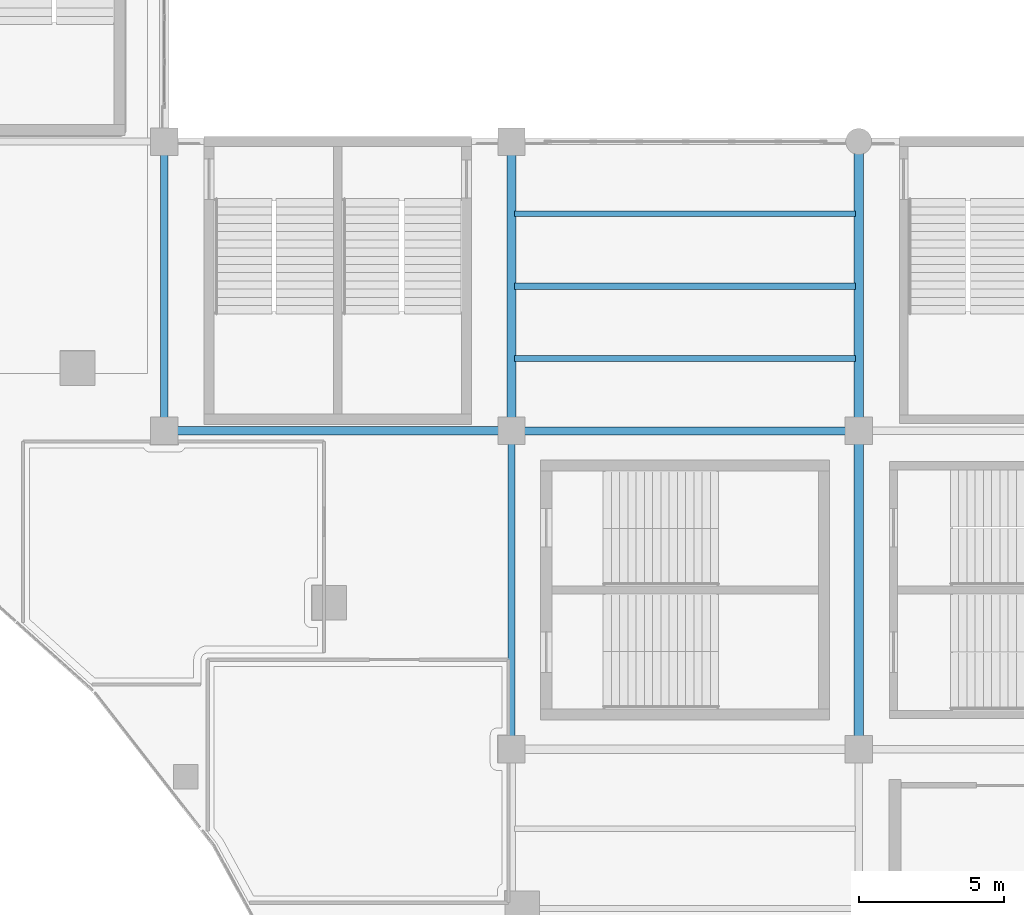
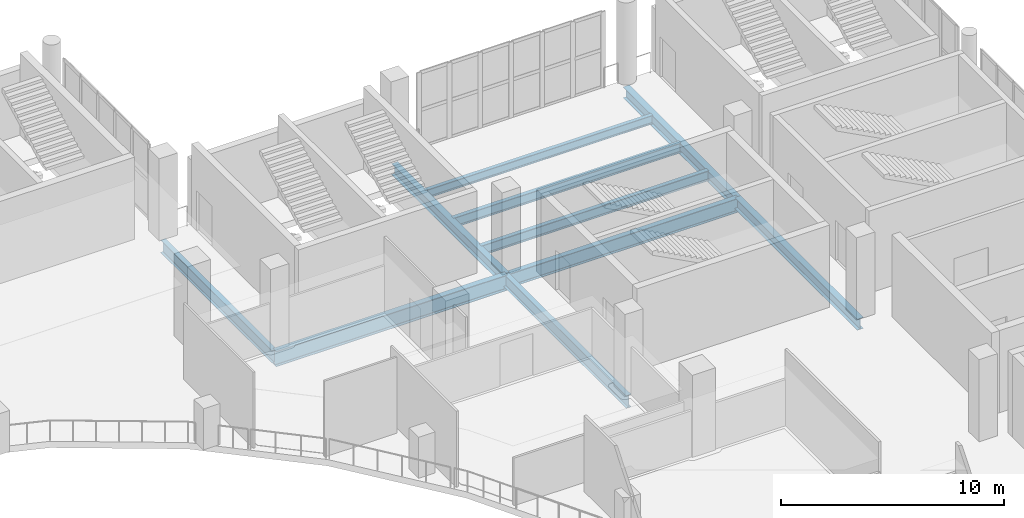
# One storey, part 45 of 90: 10 beams.
"""IFC4 building model written with IfcOpenShell, lengths in metres."""

from ifc_helpers import new_model, si_unit, direction, frame, origin, origin_2d, place, context, subcontext, project, spatial, i_section, extrude, material, material_profile, profile_set, type_object, element, save


model = new_model("IFC4")

# Units and contexts
model_context = context("Model", 3, precision=1e-05, world=origin(), true_north=direction((0.0, 1.0)))
body_context = subcontext(model_context, "Body", "Model", "MODEL_VIEW")
ifc_project = project(units=[si_unit("LENGTHUNIT", "METRE"), si_unit("AREAUNIT", "SQUARE_METRE"), si_unit("VOLUMEUNIT", "CUBIC_METRE"), si_unit("PLANEANGLEUNIT", "RADIAN"), si_unit("MASSUNIT", "GRAM", prefix="KILO")], contexts=[model_context])

# Site, building, storey
site_placement = place(None, origin())
site = spatial("IfcSite", under=ifc_project, at=site_placement, CompositionType="ELEMENT")
building_placement = place(site_placement, origin())
building = spatial("IfcBuilding", under=site, at=building_placement, Name="Brinegate Civic Arena", CompositionType="ELEMENT")
storey_placement = place(building_placement, frame((0.0, 0.0, 14.699951171875)))
storey = spatial("IfcBuildingStorey", under=building, at=storey_placement, Name="L03", CompositionType="ELEMENT", Elevation=14.699951171875)

# Beams
ifc_material = material(Name="Steel S355", Category="steel")
ifc_material_profile_1 = material_profile(ifc_material, i_section(OverallWidth=0.323974609375, OverallDepth=0.611083984375, WebThickness=0.012939453125, FlangeThickness=0.01904296875, FilletRadius=0.01611328125, at=origin_2d()), Name="W610X155")
ifc_profile_set_1 = profile_set([ifc_material_profile_1], Name="Steel S355")
beam_type_1 = type_object("IfcBeamType", Name="GIRDER-W610X155", PredefinedType="BEAM", material=ifc_profile_set_1)
beam_1_placement = place(storey_placement, frame((144.0, 104.0, -0.655029296875), z_axis=(0.0, 1.0, 0.0), x_axis=(-1.0, 0.0, 0.0)))
element("IfcBeam", 1, at=beam_1_placement, inside=storey, type_object=beam_type_1, Name="Floor Girder BM-L03-GY-12-10", PredefinedType="BEAM", context=body_context, shape_type="SweptSolid", body=[
    extrude(i_section(OverallWidth=0.323974609375, OverallDepth=0.611083984375, WebThickness=0.012939453125, FlangeThickness=0.01904296875, FilletRadius=0.01611328125, at=origin_2d()), origin(), (0.0, 0.0, 1.0), 10.0),
])
beam_2_placement = place(storey_placement, frame((156.0, 93.0, -0.655029296875), z_axis=(0.0, 1.0, 0.0), x_axis=(-1.0, 0.0, 0.0)))
element("IfcBeam", 2, at=beam_2_placement, inside=storey, type_object=beam_type_1, Name="Floor Girder BM-L03-GY-13-09", PredefinedType="BEAM", context=body_context, shape_type="SweptSolid", body=[
    extrude(i_section(OverallWidth=0.323974609375, OverallDepth=0.611083984375, WebThickness=0.012939453125, FlangeThickness=0.01904296875, FilletRadius=0.01611328125, at=origin_2d()), origin(), (0.0, 0.0, 1.0), 11.0),
])
ifc_material_profile_2 = material_profile(ifc_material, i_section(OverallWidth=0.324951171875, OverallDepth=0.615966796875, WebThickness=0.013916015625, FlangeThickness=0.02197265625, FilletRadius=0.01611328125, at=origin_2d()), Name="W610X174")
ifc_profile_set_2 = profile_set([ifc_material_profile_2], Name="Steel S355")
beam_type_2 = type_object("IfcBeamType", Name="GIRDER-W610X174", PredefinedType="BEAM", material=ifc_profile_set_2)
beam_3_placement = place(storey_placement, frame((156.0, 104.0, -0.657958984375), z_axis=(0.0, 1.0, 0.0), x_axis=(-1.0, 0.0, 0.0)))
element("IfcBeam", 3, at=beam_3_placement, inside=storey, type_object=beam_type_2, Name="Floor Girder BM-L03-GY-13-10", PredefinedType="BEAM", context=body_context, shape_type="SweptSolid", body=[
    extrude(i_section(OverallWidth=0.324951171875, OverallDepth=0.615966796875, WebThickness=0.013916015625, FlangeThickness=0.02197265625, FilletRadius=0.01611328125, at=origin_2d()), origin(), (0.0, 0.0, 1.0), 10.0),
])
ifc_material_profile_3 = material_profile(ifc_material, i_section(OverallWidth=0.256103515625, OverallDepth=0.693115234375, WebThickness=0.014892578125, FlangeThickness=0.02392578125, FilletRadius=0.01806640625, at=origin_2d()), Name="W690X170")
ifc_profile_set_3 = profile_set([ifc_material_profile_3], Name="Steel S355")
beam_type_3 = type_object("IfcBeamType", Name="GIRDER-W690X170", PredefinedType="BEAM", material=ifc_profile_set_3)
beam_4_placement = place(storey_placement, frame((132.0, 104.0, -0.696044921875), z_axis=(0.0, 1.0, 0.0), x_axis=(-1.0, 0.0, 0.0)))
element("IfcBeam", 4, at=beam_4_placement, inside=storey, type_object=beam_type_3, Name="Floor Girder BM-L03-GY-11-10", PredefinedType="BEAM", context=body_context, shape_type="SweptSolid", body=[
    extrude(i_section(OverallWidth=0.256103515625, OverallDepth=0.693115234375, WebThickness=0.014892578125, FlangeThickness=0.02392578125, FilletRadius=0.01806640625, at=origin_2d()), origin(), (0.0, 0.0, 1.0), 10.0),
])
beam_5_placement = place(storey_placement, frame((144.0, 93.0, -0.696044921875), z_axis=(0.0, 1.0, 0.0), x_axis=(-1.0, 0.0, 0.0)))
element("IfcBeam", 5, at=beam_5_placement, inside=storey, type_object=beam_type_3, Name="Floor Girder BM-L03-GY-12-09", PredefinedType="BEAM", context=body_context, shape_type="SweptSolid", body=[
    extrude(i_section(OverallWidth=0.256103515625, OverallDepth=0.693115234375, WebThickness=0.014892578125, FlangeThickness=0.02392578125, FilletRadius=0.01806640625, at=origin_2d()), origin(), (0.0, 0.0, 1.0), 11.0),
])
ifc_material_profile_4 = material_profile(ifc_material, i_section(OverallWidth=0.26806640625, OverallDepth=0.77001953125, WebThickness=0.01611328125, FlangeThickness=0.02490234375, FilletRadius=0.02001953125, at=origin_2d()), Name="W760X196")
ifc_profile_set_4 = profile_set([ifc_material_profile_4], Name="Steel S355")
beam_type_4 = type_object("IfcBeamType", Name="GIRDER-W760X196", PredefinedType="BEAM", material=ifc_profile_set_4)
beam_6_placement = place(storey_placement, frame((144.0, 104.0, -0.73486328125), z_axis=(1.0, 0.0, 0.0), x_axis=(0.0, 1.0, 0.0)))
element("IfcBeam", 6, at=beam_6_placement, inside=storey, type_object=beam_type_4, Name="Floor Girder BM-L03-GX-12-10", PredefinedType="BEAM", context=body_context, shape_type="SweptSolid", body=[
    extrude(i_section(OverallWidth=0.26806640625, OverallDepth=0.77001953125, WebThickness=0.01611328125, FlangeThickness=0.02490234375, FilletRadius=0.02001953125, at=origin_2d()), origin(), (0.0, 0.0, 1.0), 12.0),
])
ifc_material_profile_5 = material_profile(ifc_material, i_section(OverallWidth=0.2939453125, OverallDepth=0.85107421875, WebThickness=0.01611328125, FlangeThickness=0.027099609375, FilletRadius=0.02197265625, at=origin_2d()), Name="W840X226")
ifc_profile_set_5 = profile_set([ifc_material_profile_5], Name="Steel S355")
beam_type_5 = type_object("IfcBeamType", Name="GIRDER-W840X226", PredefinedType="BEAM", material=ifc_profile_set_5)
beam_7_placement = place(storey_placement, frame((132.0, 104.0, -0.77490234375), z_axis=(1.0, 0.0, 0.0), x_axis=(0.0, 1.0, 0.0)))
element("IfcBeam", 7, at=beam_7_placement, inside=storey, type_object=beam_type_5, Name="Floor Girder BM-L03-GX-11-10", PredefinedType="BEAM", context=body_context, shape_type="SweptSolid", body=[
    extrude(i_section(OverallWidth=0.2939453125, OverallDepth=0.85107421875, WebThickness=0.01611328125, FlangeThickness=0.027099609375, FilletRadius=0.02197265625, at=origin_2d()), origin(), (0.0, 0.0, 1.0), 12.0),
])
ifc_material_profile_6 = material_profile(ifc_material, i_section(OverallWidth=0.195068359375, OverallDepth=0.472900390625, WebThickness=0.011962890625, FlangeThickness=0.02197265625, FilletRadius=0.014892578125, at=origin_2d()), Name="W460X113")
ifc_profile_set_6 = profile_set([ifc_material_profile_6], Name="Steel S355")
beam_type_6 = type_object("IfcBeamType", Name="JOIST-W460X113", PredefinedType="JOIST", material=ifc_profile_set_6)
beam_8_placement = place(storey_placement, frame((144.10595703125, 111.5, -0.5859375), z_axis=(1.0, 0.0, 0.0), x_axis=(0.0, 1.0, 0.0)))
element("IfcBeam", 8, at=beam_8_placement, inside=storey, type_object=beam_type_6, Name="Secondary Joist BM-L03-JX-12-10-3", PredefinedType="JOIST", context=body_context, shape_type="SweptSolid", body=[
    extrude(i_section(OverallWidth=0.195068359375, OverallDepth=0.472900390625, WebThickness=0.011962890625, FlangeThickness=0.02197265625, FilletRadius=0.014892578125, at=origin_2d()), origin(), (0.0, 0.0, 1.0), 11.7880859375),
])
ifc_material_profile_7 = material_profile(ifc_material, i_section(OverallWidth=0.2109375, OverallDepth=0.5390625, WebThickness=0.011962890625, FlangeThickness=0.01904296875, FilletRadius=0.01611328125, at=origin_2d()), Name="W530X109")
ifc_profile_set_7 = profile_set([ifc_material_profile_7], Name="Steel S355")
beam_type_7 = type_object("IfcBeamType", Name="JOIST-W530X109", PredefinedType="JOIST", material=ifc_profile_set_7)
beam_9_placement = place(storey_placement, frame((144.10595703125, 109.0, -0.618896484375), z_axis=(1.0, 0.0, 0.0), x_axis=(0.0, 1.0, 0.0)))
element("IfcBeam", 9, at=beam_9_placement, inside=storey, type_object=beam_type_7, Name="Secondary Joist BM-L03-JX-12-10-2", PredefinedType="JOIST", context=body_context, shape_type="SweptSolid", body=[
    extrude(i_section(OverallWidth=0.2109375, OverallDepth=0.5390625, WebThickness=0.011962890625, FlangeThickness=0.01904296875, FilletRadius=0.01611328125, at=origin_2d()), origin(), (0.0, 0.0, 1.0), 11.7880859375),
])
ifc_material_profile_8 = material_profile(ifc_material, i_section(OverallWidth=0.214111328125, OverallDepth=0.549072265625, WebThickness=0.014892578125, FlangeThickness=0.02392578125, FilletRadius=0.01611328125, at=origin_2d()), Name="W530X138")
ifc_profile_set_8 = profile_set([ifc_material_profile_8], Name="Steel S355")
beam_type_8 = type_object("IfcBeamType", Name="JOIST-W530X138", PredefinedType="JOIST", material=ifc_profile_set_8)
beam_10_placement = place(storey_placement, frame((144.10595703125, 106.5, -0.6240234375), z_axis=(1.0, 0.0, 0.0), x_axis=(0.0, 1.0, 0.0)))
element("IfcBeam", 10, at=beam_10_placement, inside=storey, type_object=beam_type_8, Name="Secondary Joist BM-L03-JX-12-10-1", PredefinedType="JOIST", context=body_context, shape_type="SweptSolid", body=[
    extrude(i_section(OverallWidth=0.214111328125, OverallDepth=0.549072265625, WebThickness=0.014892578125, FlangeThickness=0.02392578125, FilletRadius=0.01611328125, at=origin_2d()), origin(), (0.0, 0.0, 1.0), 11.7880859375),
])

save(model, "model.ifc")
